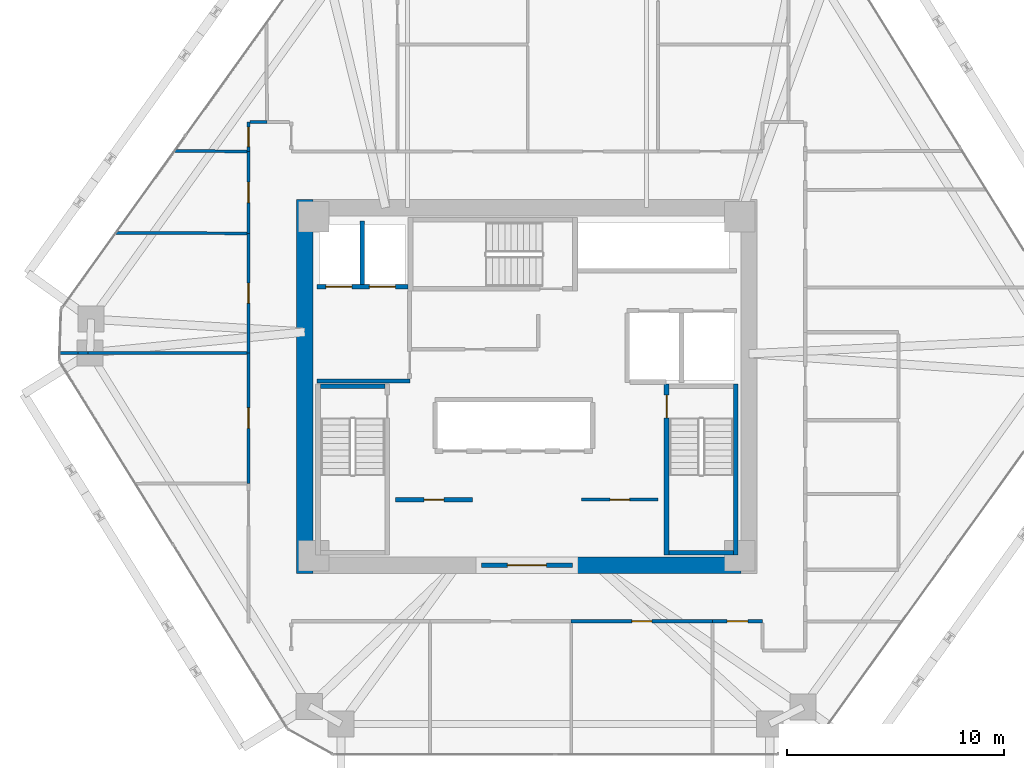
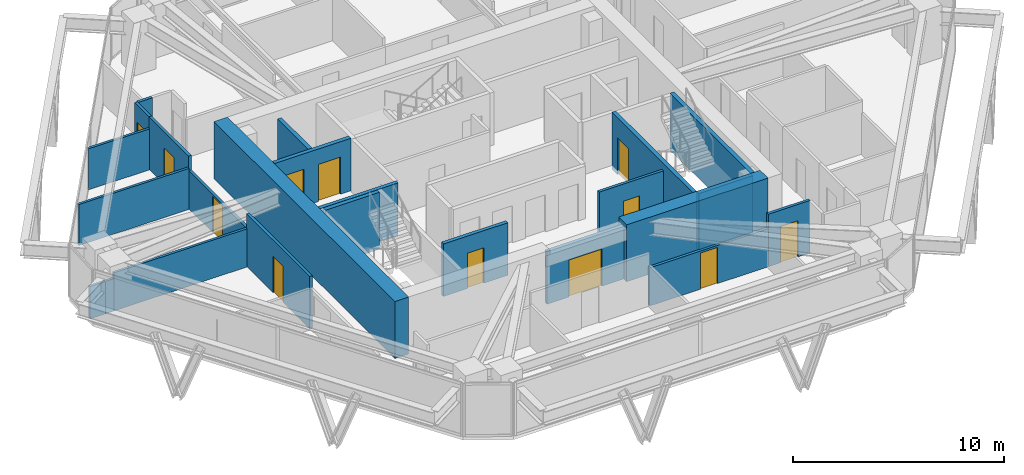
# One storey, part 10 of 14: 24 walls, 12 doors, 12 openings.
"""IFC4 building model written with IfcOpenShell, lengths in metres."""

from ifc_helpers import new_model, si_unit, direction, frame, frame_2d, origin, place, context, subcontext, project, spatial, rectangle, extrude, source, transform, mapped, material, layer, layer_set, type_object, type_shapes, element, fill, save


model = new_model("IFC4")

# Units and contexts
model_context = context("Model", 3, precision=1e-05, world=origin(), true_north=direction((0.0, 1.0)))
body_context = subcontext(model_context, "Body", "Model", "MODEL_VIEW")
ifc_project = project(units=[si_unit("LENGTHUNIT", "METRE"), si_unit("AREAUNIT", "SQUARE_METRE"), si_unit("VOLUMEUNIT", "CUBIC_METRE"), si_unit("PLANEANGLEUNIT", "RADIAN"), si_unit("MASSUNIT", "GRAM", prefix="KILO")], contexts=[model_context])

# Site, building, storey
site_placement = place(None, origin())
site = spatial("IfcSite", under=ifc_project, at=site_placement, CompositionType="ELEMENT")
building_placement = place(site_placement, origin())
building = spatial("IfcBuilding", under=site, at=building_placement, Name="Durnholm Broadcast Tower", CompositionType="ELEMENT")
storey_placement = place(building_placement, frame((0.0, 0.0, 114.0)))
storey = spatial("IfcBuildingStorey", under=building, at=storey_placement, Name="L30", CompositionType="ELEMENT", Elevation=114.0)

# Walls
ifc_material_1 = material(Name="Concrete C70/85", Category="concrete")
ifc_layer_1 = layer(ifc_material_1, 0.75)
ifc_layer_set_1 = layer_set([ifc_layer_1], Name="Concrete C70/85")
wall_type_1 = type_object("IfcWallType", Name="WALL-CW-750", PredefinedType="SHEAR", material=ifc_layer_set_1)
wall_1_placement = place(storey_placement, frame((-10.22509765625, -8.60009765625, 0.0), z_axis=(0.0, 0.0, 1.0), x_axis=(0.0, 1.0, 0.0)))
element("IfcWall", 1, at=wall_1_placement, inside=storey, type_object=wall_type_1, Name="L30 central core shear wall CW-WEST", PredefinedType="SHEAR", context=body_context, shape_type="SweptSolid", body=[
    extrude(rectangle(XDim=17.2001953125, YDim=0.75, at=frame_2d((8.60009765625, 0.0))), origin(), (0.0, 0.0, 1.0), 3.300048828125),
])
wall_2_placement = place(storey_placement, frame((2.10009765625, -8.22509765625, 0.0), z_axis=(0.0, 0.0, 1.0), x_axis=(1.0, 0.0, 0.0)))
element("IfcWall", 2, at=wall_2_placement, inside=storey, type_object=wall_type_1, Name="L30 central core shear wall CW-S2", PredefinedType="SHEAR", context=body_context, shape_type="SweptSolid", body=[
    extrude(rectangle(XDim=7.75, YDim=0.75, at=frame_2d((3.875, 0.0))), origin(), (0.0, 0.0, 1.0), 3.300048828125),
])

# Wall, opening, door
ifc_material_2 = material(Name="Fire-Rated Gypsum Shaftwall", Category="concrete")
ifc_layer_2 = layer(ifc_material_2, 0.199951171875)
ifc_layer_set_2 = layer_set([ifc_layer_2], Name="Fire-Rated Gypsum Shaftwall")
wall_type_2 = type_object("IfcWallType", Name="WALL-LOB-200", PredefinedType="SOLIDWALL", material=ifc_layer_set_2)
wall_3_placement = place(storey_placement, frame((-2.10009765625, -8.22509765625, 0.0), z_axis=(0.0, 0.0, 1.0), x_axis=(1.0, 0.0, 0.0)))
wall_3 = element("IfcWall", 3, at=wall_3_placement, inside=storey, type_object=wall_type_2, Name="L30 south core lobby fire screen", PredefinedType="SOLIDWALL", context=body_context, shape_type="SweptSolid", body=[
    extrude(rectangle(XDim=4.2001953125, YDim=0.199951171875, at=frame_2d((2.10009765625, 0.0))), origin(), (0.0, 0.0, 1.0), 3.044921875),
])
opening_1_placement = place(wall_3_placement, frame((1.199951171875, 0.0, 0.0)))
opening_1 = element("IfcOpeningElement", 4, at=opening_1_placement, cuts=wall_3, Name="Opening DP-60", PredefinedType="OPENING", context=body_context, shape_type="SweptSolid", body=[
    extrude(rectangle(XDim=1.800048828125, YDim=2.14990234375, at=frame_2d((0.89990234375, 1.074951171875))), frame((0.0, 0.10986328125, 0.0), z_axis=(0.0, -1.0, 0.0), x_axis=(1.0, 0.0, 0.0)), (0.0, 0.0, 1.0), 0.219970703125),
])
ifc_material_3 = material(Name="Fire-Rated Double Corridor Door", Category="steel")
ifc_layer_3 = layer(ifc_material_3, 0.050048828125)
ifc_layer_set_3 = layer_set([ifc_layer_3], Name="Fire-Rated Double Corridor Door")
door_type_1 = type_object("IfcDoorType", Name="DOOR-PAIR-FD60", OperationType="DOUBLE_DOOR_SINGLE_SWING", PredefinedType="DOOR", material=ifc_layer_set_3)
shared_shape_1 = source(origin(), body_context, "Body", "SweptSolid", [
    extrude(rectangle(XDim=1.800048828125, YDim=2.14990234375, at=frame_2d((0.89990234375, 1.074951171875))), frame((0.0, 0.02490234375, 0.0), z_axis=(0.0, -1.0, 0.0), x_axis=(1.0, 0.0, 0.0)), (0.0, 0.0, 1.0), 0.050048828125),
])
type_shapes(door_type_1, [shared_shape_1])
door_1_placement = place(opening_1_placement, origin())
door_1 = element("IfcDoor", 5, at=door_1_placement, inside=storey, type_object=door_type_1, Name="L30 south core lobby double fire door", OperationType="DOUBLE_DOOR_SINGLE_SWING", OverallHeight=2.14990234375, OverallWidth=1.800048828125, PredefinedType="DOOR", context=body_context, shape_type="MappedRepresentation", body=[
    mapped(shared_shape_1, transform((0.0, 0.0, 0.0), x_axis=(1.0, 0.0, 0.0), y_axis=(0.0, 1.0, 0.0), z_axis=(0.0, 0.0, 1.0), scale=1.0)),
])
fill(opening_1, door_1)

# Wall
wall_4_placement = place(storey_placement, frame((-9.64990234375, 0.25, 0.0), z_axis=(0.0, 0.0, 1.0), x_axis=(1.0, 0.0, 0.0)))
element("IfcWall", 6, at=wall_4_placement, inside=storey, type_object=wall_type_2, Name="L30 Fire Service Access Elevator lobby south wall", PredefinedType="SOLIDWALL", context=body_context, shape_type="SweptSolid", body=[
    extrude(rectangle(XDim=4.27001953125, YDim=0.199951171875, at=frame_2d((2.135009765625, 0.0))), origin(), (0.0, 0.0, 1.0), 3.044921875),
])

# Wall, opening, door
wall_5_placement = place(storey_placement, frame((-6.0400390625, -5.2099609375, 0.0), z_axis=(0.0, 0.0, 1.0), x_axis=(1.0, 0.0, 0.0)))
wall_5 = element("IfcWall", 7, at=wall_5_placement, inside=storey, type_object=wall_type_2, Name="L30 Broadcast Signal Rack Room corridor partition", PredefinedType="SOLIDWALL", context=body_context, shape_type="SweptSolid", body=[
    extrude(rectangle(XDim=3.530029296875, YDim=0.199951171875, at=frame_2d((1.76513671875, 0.0))), origin(), (0.0, 0.0, 1.0), 3.044921875),
])
opening_2_placement = place(wall_5_placement, frame((1.31494140625, 0.0, 0.0)))
opening_2 = element("IfcOpeningElement", 8, at=opening_2_placement, cuts=wall_5, Name="Opening DC-60L", PredefinedType="OPENING", context=body_context, shape_type="SweptSolid", body=[
    extrude(rectangle(XDim=0.89990234375, YDim=2.050048828125, at=frame_2d((0.449951171875, 1.02490234375))), frame((0.0, 0.10986328125, 0.0), z_axis=(0.0, -1.0, 0.0), x_axis=(1.0, 0.0, 0.0)), (0.0, 0.0, 1.0), 0.219970703125),
])
ifc_material_4 = material(Name="Fire-Rated Core Service Door", Category="steel")
ifc_layer_4 = layer(ifc_material_4, 0.050048828125)
ifc_layer_set_4 = layer_set([ifc_layer_4], Name="Fire-Rated Core Service Door")
door_type_2 = type_object("IfcDoorType", Name="DOOR-CORE-FD60-L", OperationType="NOTDEFINED", PredefinedType="DOOR", material=ifc_layer_set_4)
shared_shape_2 = source(origin(), body_context, "Body", "SweptSolid", [
    extrude(rectangle(XDim=0.89990234375, YDim=2.050048828125, at=frame_2d((0.449951171875, 1.02490234375))), frame((0.0, 0.02490234375, 0.0), z_axis=(0.0, -1.0, 0.0), x_axis=(1.0, 0.0, 0.0)), (0.0, 0.0, 1.0), 0.050048828125),
])
type_shapes(door_type_2, [shared_shape_2])
door_2_placement = place(opening_2_placement, origin())
door_2 = element("IfcDoor", 9, at=door_2_placement, inside=storey, type_object=door_type_2, Name="L30 Broadcast Signal Rack Room entrance door", OperationType="SINGLE_SWING_LEFT", OverallHeight=2.050048828125, OverallWidth=0.89990234375, PredefinedType="DOOR", context=body_context, shape_type="MappedRepresentation", body=[
    mapped(shared_shape_2, transform((0.0, 0.0, 0.0), x_axis=(1.0, 0.0, 0.0), y_axis=(0.0, 1.0, 0.0), z_axis=(0.0, 0.0, 1.0), scale=1.0)),
])
fill(opening_2, door_2)

# Walls
ifc_material_5 = material(Name="Gypsum Metal Stud Partition", Category="concrete")
ifc_layer_5 = layer(ifc_material_5, 0.135009765625)
ifc_layer_set_5 = layer_set([ifc_layer_5], Name="Gypsum Metal Stud Partition")
wall_type_3 = type_object("IfcWallType", Name="WALL-PART-135", PredefinedType="PARTITIONING", material=ifc_layer_set_5)
wall_6_placement = place(storey_placement, frame((-12.888916015625, 10.810546875, 0.0), z_axis=(0.0, 0.0, 1.0), x_axis=(-0.999976657862, 0.006832549348, 0.0)))
element("IfcWall", 10, at=wall_6_placement, inside=storey, type_object=wall_type_3, Name="L30 room dividing partition 7.22", PredefinedType="PARTITIONING", context=body_context, shape_type="SweptSolid", body=[
    extrude(rectangle(XDim=3.322998046875, YDim=0.135009765625, at=frame_2d((1.66162109375, 0.0))), origin(), (0.0, 0.0, 1.0), 2.3798828125),
])
wall_7_placement = place(storey_placement, frame((-21.50341796875, 1.54150390625, 0.0), z_axis=(0.0, 0.0, 1.0), x_axis=(0.999999958331, -0.000288683591, 0.0)))
element("IfcWall", 11, at=wall_7_placement, inside=storey, type_object=wall_type_3, Name="L30 room dividing partition 20.21", PredefinedType="PARTITIONING", context=body_context, shape_type="SweptSolid", body=[
    extrude(rectangle(XDim=0.845703125, YDim=0.135009765625, at=frame_2d((0.4228515625, 0.0))), origin(), (0.0, 0.0, 1.0), 1.877197265625),
])
wall_8_placement = place(storey_placement, frame((-20.201416015625, 1.541259765625, 0.0), z_axis=(0.0, 0.0, 1.0), x_axis=(0.999999986067, -0.000166933758, 0.0)))
element("IfcWall", 12, at=wall_8_placement, inside=storey, type_object=wall_type_3, Name="L30 room dividing partition 20.21", PredefinedType="PARTITIONING", context=body_context, shape_type="SweptSolid", body=[
    extrude(rectangle(XDim=7.3125, YDim=0.135009765625, at=frame_2d((3.65625, 0.0))), origin(), (0.0, 0.0, 1.0), 2.212158203125),
])
wall_9_placement = place(storey_placement, frame((-20.65771484375, 1.541259765625, 0.0), z_axis=(0.0, 0.0, 1.0), x_axis=(1.0, 0.0, 0.0)))
element("IfcWall", 13, at=wall_9_placement, inside=storey, type_object=wall_type_3, Name="L30 room dividing partition 20.21", PredefinedType="PARTITIONING", context=body_context, shape_type="SweptSolid", body=[
    extrude(rectangle(XDim=0.456298828125, YDim=0.135009765625, at=frame_2d((0.22802734375, 0.0))), origin(), (0.0, 0.0, 1.0), 1.877197265625),
])
wall_10_placement = place(storey_placement, frame((-18.92041015625, 7.063232421875, 0.0), z_axis=(0.0, 0.0, 1.0), x_axis=(0.999992761455, -0.003804870252, 0.0)))
element("IfcWall", 14, at=wall_10_placement, inside=storey, type_object=wall_type_3, Name="L30 room dividing partition 21.22", PredefinedType="PARTITIONING", context=body_context, shape_type="SweptSolid", body=[
    extrude(rectangle(XDim=6.031494140625, YDim=0.135009765625, at=frame_2d((3.015625, 0.0))), origin(), (0.0, 0.0, 1.0), 2.3798828125),
])

# Wall, opening, door
ifc_material_6 = material(Name="Acoustic Gypsum Stud Partition", Category="concrete")
ifc_layer_6 = layer(ifc_material_6, 0.14990234375)
ifc_layer_set_6 = layer_set([ifc_layer_6], Name="Acoustic Gypsum Stud Partition")
wall_type_4 = type_object("IfcWallType", Name="WALL-PART-150", PredefinedType="PARTITIONING", material=ifc_layer_set_6)
wall_11_placement = place(storey_placement, frame((2.510009765625, -5.2099609375, 0.0), z_axis=(0.0, 0.0, 1.0), x_axis=(1.0, 0.0, 0.0)))
wall_11 = element("IfcWall", 15, at=wall_11_placement, inside=storey, type_object=wall_type_4, Name="L30 Editorial Beverage Pantry corridor partition", PredefinedType="PARTITIONING", context=body_context, shape_type="SweptSolid", body=[
    extrude(rectangle(XDim=3.530029296875, YDim=0.14990234375, at=frame_2d((1.76513671875, 0.0))), origin(), (0.0, 0.0, 1.0), 3.044921875),
])
opening_3_placement = place(wall_11_placement, frame((1.31494140625, 0.0, 0.0)))
opening_3 = element("IfcOpeningElement", 16, at=opening_3_placement, cuts=wall_11, Name="Opening DC-60R", PredefinedType="OPENING", context=body_context, shape_type="SweptSolid", body=[
    extrude(rectangle(XDim=0.89990234375, YDim=2.050048828125, at=frame_2d((0.449951171875, 1.02490234375))), frame((0.0, 0.0849609375, 0.0), z_axis=(0.0, -1.0, 0.0), x_axis=(1.0, 0.0, 0.0)), (0.0, 0.0, 1.0), 0.169921875),
])
ifc_layer_7 = layer(ifc_material_4, 0.050048828125)
ifc_layer_set_7 = layer_set([ifc_layer_7], Name="Fire-Rated Core Service Door")
door_type_3 = type_object("IfcDoorType", Name="DOOR-CORE-FD60-R", OperationType="NOTDEFINED", PredefinedType="DOOR", material=ifc_layer_set_7)
shared_shape_3 = source(origin(), body_context, "Body", "SweptSolid", [
    extrude(rectangle(XDim=0.89990234375, YDim=2.050048828125, at=frame_2d((0.449951171875, 1.02490234375))), frame((0.0, 0.02490234375, 0.0), z_axis=(0.0, -1.0, 0.0), x_axis=(1.0, 0.0, 0.0)), (0.0, 0.0, 1.0), 0.050048828125),
])
type_shapes(door_type_3, [shared_shape_3])
door_3_placement = place(opening_3_placement, origin())
door_3 = element("IfcDoor", 17, at=door_3_placement, inside=storey, type_object=door_type_3, Name="L30 Editorial Beverage Pantry entrance door", OperationType="SINGLE_SWING_RIGHT", OverallHeight=2.050048828125, OverallWidth=0.89990234375, PredefinedType="DOOR", context=body_context, shape_type="MappedRepresentation", body=[
    mapped(shared_shape_3, transform((0.0, 0.0, 0.0), x_axis=(1.0, 0.0, 0.0), y_axis=(0.0, 1.0, 0.0), z_axis=(0.0, 0.0, 1.0), scale=1.0)),
])
fill(opening_3, door_3)

wall_12_placement = place(storey_placement, frame((-12.81005859375, 12.159912109375, 0.0), z_axis=(0.0, 0.0, 1.0), x_axis=(0.0, -1.0, 0.0)))
wall_12 = element("IfcWall", 18, at=wall_12_placement, inside=storey, type_object=wall_type_4, Name="L30 Syndication Meeting Room 1 corridor partition", PredefinedType="PARTITIONING", context=body_context, shape_type="SweptSolid", body=[
    extrude(rectangle(XDim=1.349853515625, YDim=0.14990234375, at=frame_2d((0.6748046875, 0.0))), origin(), (0.0, 0.0, 1.0), 3.044921875),
])
opening_4_placement = place(wall_12_placement, frame((0.22509765625, 0.0, 0.0)))
opening_4 = element("IfcOpeningElement", 19, at=opening_4_placement, cuts=wall_12, Name="Opening DW-90L", PredefinedType="OPENING", context=body_context, shape_type="SweptSolid", body=[
    extrude(rectangle(XDim=0.89990234375, YDim=2.050048828125, at=frame_2d((0.449951171875, 1.02490234375))), frame((0.0, 0.0849609375, 0.0), z_axis=(0.0, -1.0, 0.0), x_axis=(1.0, 0.0, 0.0)), (0.0, 0.0, 1.0), 0.169921875),
])
ifc_material_7 = material(Name="Laminate Restroom Door", Category="steel")
ifc_layer_8 = layer(ifc_material_7, 0.050048828125)
ifc_layer_set_8 = layer_set([ifc_layer_8], Name="Laminate Restroom Door")
door_type_4 = type_object("IfcDoorType", Name="DOOR-WC-900L", OperationType="NOTDEFINED", PredefinedType="DOOR", material=ifc_layer_set_8)
shared_shape_4 = source(origin(), body_context, "Body", "SweptSolid", [
    extrude(rectangle(XDim=0.89990234375, YDim=2.050048828125, at=frame_2d((0.449951171875, 1.02490234375))), frame((0.0, 0.02490234375, 0.0), z_axis=(0.0, -1.0, 0.0), x_axis=(1.0, 0.0, 0.0)), (0.0, 0.0, 1.0), 0.050048828125),
])
type_shapes(door_type_4, [shared_shape_4])
door_4_placement = place(opening_4_placement, origin())
door_4 = element("IfcDoor", 20, at=door_4_placement, inside=storey, type_object=door_type_4, Name="L30 Syndication Meeting Room 1 entrance door", OperationType="SINGLE_SWING_LEFT", OverallHeight=2.050048828125, OverallWidth=0.89990234375, PredefinedType="DOOR", context=body_context, shape_type="MappedRepresentation", body=[
    mapped(shared_shape_4, transform((0.0, 0.0, 0.0), x_axis=(1.0, 0.0, 0.0), y_axis=(0.0, 1.0, 0.0), z_axis=(0.0, 0.0, 1.0), scale=1.0)),
])
fill(opening_4, door_4)

# Wall
wall_13_placement = place(storey_placement, frame((-11.9599609375, 12.159912109375, 0.0), z_axis=(0.0, 0.0, 1.0), x_axis=(-1.0, 0.0, 0.0)))
element("IfcWall", 21, at=wall_13_placement, inside=storey, type_object=wall_type_4, Name="L30 Syndication Meeting Room 1 corridor partition", PredefinedType="PARTITIONING", context=body_context, shape_type="SweptSolid", body=[
    extrude(rectangle(XDim=0.77099609375, YDim=0.14990234375, at=frame_2d((0.385498046875, 0.0))), origin(), (0.0, 0.0, 1.0), 3.044921875),
])

# Wall, opening, door
wall_14_placement = place(storey_placement, frame((2.0400390625, -10.81005859375, 0.0), z_axis=(0.0, 0.0, 1.0), x_axis=(1.0, 0.0, 0.0)))
wall_14 = element("IfcWall", 22, at=wall_14_placement, inside=storey, type_object=wall_type_4, Name="L30 Syndication Meeting Room 2 corridor partition", PredefinedType="PARTITIONING", context=body_context, shape_type="SweptSolid", body=[
    extrude(rectangle(XDim=6.5, YDim=0.14990234375, at=frame_2d((3.25, 0.0))), origin(), (0.0, 0.0, 1.0), 2.212158203125),
])
opening_5_placement = place(wall_14_placement, frame((2.7900390625, 0.0, 0.0)))
opening_5 = element("IfcOpeningElement", 23, at=opening_5_placement, cuts=wall_14, Name="Opening DR-92L", PredefinedType="OPENING", context=body_context, shape_type="SweptSolid", body=[
    extrude(rectangle(XDim=0.919921875, YDim=2.10009765625, at=frame_2d((0.4599609375, 1.050048828125))), frame((0.0, 0.0849609375, 0.0), z_axis=(0.0, -1.0, 0.0), x_axis=(1.0, 0.0, 0.0)), (0.0, 0.0, 1.0), 0.169921875),
])
ifc_material_8 = material(Name="Oak Veneer Office Door", Category="wood")
ifc_layer_9 = layer(ifc_material_8, 0.050048828125)
ifc_layer_set_9 = layer_set([ifc_layer_9], Name="Oak Veneer Office Door")
door_type_5 = type_object("IfcDoorType", Name="DOOR-RM-920L", OperationType="NOTDEFINED", PredefinedType="DOOR", material=ifc_layer_set_9)
shared_shape_5 = source(origin(), body_context, "Body", "SweptSolid", [
    extrude(rectangle(XDim=0.919921875, YDim=2.10009765625, at=frame_2d((0.4599609375, 1.050048828125))), frame((0.0, 0.02490234375, 0.0), z_axis=(0.0, -1.0, 0.0), x_axis=(1.0, 0.0, 0.0)), (0.0, 0.0, 1.0), 0.050048828125),
])
type_shapes(door_type_5, [shared_shape_5])
door_5_placement = place(opening_5_placement, origin())
door_5 = element("IfcDoor", 24, at=door_5_placement, inside=storey, type_object=door_type_5, Name="L30 Syndication Meeting Room 2 entrance door", OperationType="SINGLE_SWING_LEFT", OverallHeight=2.10009765625, OverallWidth=0.919921875, PredefinedType="DOOR", context=body_context, shape_type="MappedRepresentation", body=[
    mapped(shared_shape_5, transform((0.0, 0.0, 0.0), x_axis=(1.0, 0.0, 0.0), y_axis=(0.0, 1.0, 0.0), z_axis=(0.0, 0.0, 1.0), scale=1.0)),
])
fill(opening_5, door_5)

wall_15_placement = place(storey_placement, frame((8.5400390625, -10.81005859375, 0.0), z_axis=(0.0, 0.0, 1.0), x_axis=(1.0, 0.0, 0.0)))
wall_15 = element("IfcWall", 25, at=wall_15_placement, inside=storey, type_object=wall_type_4, Name="L30 Open Plan Broadcast Workspace 1 corridor partition", PredefinedType="PARTITIONING", context=body_context, shape_type="SweptSolid", body=[
    extrude(rectangle(XDim=2.300048828125, YDim=0.14990234375, at=frame_2d((1.14990234375, 0.0))), origin(), (0.0, 0.0, 1.0), 3.044921875),
])
opening_6_placement = place(wall_15_placement, frame((0.675048828125, 0.0, 0.0)))
opening_6 = element("IfcOpeningElement", 26, at=opening_6_placement, cuts=wall_15, Name="Opening DR-95R", PredefinedType="OPENING", context=body_context, shape_type="SweptSolid", body=[
    extrude(rectangle(XDim=0.949951171875, YDim=2.10009765625, at=frame_2d((0.47509765625, 1.050048828125))), frame((0.0, 0.0849609375, 0.0), z_axis=(0.0, -1.0, 0.0), x_axis=(1.0, 0.0, 0.0)), (0.0, 0.0, 1.0), 0.169921875),
])
ifc_material_9 = material(Name="Acoustic Oak Veneer Timber Door", Category="wood")
ifc_layer_10 = layer(ifc_material_9, 0.050048828125)
ifc_layer_set_10 = layer_set([ifc_layer_10], Name="Acoustic Oak Veneer Timber Door")
door_type_6 = type_object("IfcDoorType", Name="DOOR-RM-950R", OperationType="NOTDEFINED", PredefinedType="DOOR", material=ifc_layer_set_10)
shared_shape_6 = source(origin(), body_context, "Body", "SweptSolid", [
    extrude(rectangle(XDim=0.949951171875, YDim=2.10009765625, at=frame_2d((0.47509765625, 1.050048828125))), frame((0.0, 0.02490234375, 0.0), z_axis=(0.0, -1.0, 0.0), x_axis=(1.0, 0.0, 0.0)), (0.0, 0.0, 1.0), 0.050048828125),
])
type_shapes(door_type_6, [shared_shape_6])
door_6_placement = place(opening_6_placement, origin())
door_6 = element("IfcDoor", 27, at=door_6_placement, inside=storey, type_object=door_type_6, Name="L30 Open Plan Broadcast Workspace 1 entrance door", OperationType="SINGLE_SWING_RIGHT", OverallHeight=2.10009765625, OverallWidth=0.949951171875, PredefinedType="DOOR", context=body_context, shape_type="MappedRepresentation", body=[
    mapped(shared_shape_6, transform((0.0, 0.0, 0.0), x_axis=(1.0, 0.0, 0.0), y_axis=(0.0, 1.0, 0.0), z_axis=(0.0, 0.0, 1.0), scale=1.0)),
])
fill(opening_6, door_6)

wall_16_placement = place(storey_placement, frame((-12.81005859375, 1.5400390625, 0.0), z_axis=(0.0, 0.0, 1.0), x_axis=(0.0, -1.0, 0.0)))
wall_16 = element("IfcWall", 28, at=wall_16_placement, inside=storey, type_object=wall_type_4, Name="L30 Research Meeting Room corridor partition", PredefinedType="PARTITIONING", context=body_context, shape_type="SweptSolid", body=[
    extrude(rectangle(XDim=6.0, YDim=0.14990234375, at=frame_2d((3.0, 0.0))), origin(), (0.0, 0.0, 1.0), 3.044921875),
])
opening_7_placement = place(wall_16_placement, frame((2.52490234375, 0.0, 0.0)))
opening_7 = element("IfcOpeningElement", 29, at=opening_7_placement, cuts=wall_16, Name="Opening DR-95R", PredefinedType="OPENING", context=body_context, shape_type="SweptSolid", body=[
    extrude(rectangle(XDim=0.949951171875, YDim=2.10009765625, at=frame_2d((0.47509765625, 1.050048828125))), frame((0.0, 0.0849609375, 0.0), z_axis=(0.0, -1.0, 0.0), x_axis=(1.0, 0.0, 0.0)), (0.0, 0.0, 1.0), 0.169921875),
])
door_7_placement = place(opening_7_placement, origin())
door_7 = element("IfcDoor", 30, at=door_7_placement, inside=storey, type_object=door_type_6, Name="L30 Research Meeting Room entrance door", OperationType="SINGLE_SWING_RIGHT", OverallHeight=2.10009765625, OverallWidth=0.949951171875, PredefinedType="DOOR", context=body_context, shape_type="MappedRepresentation", body=[
    mapped(shared_shape_6, transform((0.0, 0.0, 0.0), x_axis=(1.0, 0.0, 0.0), y_axis=(0.0, 1.0, 0.0), z_axis=(0.0, 0.0, 1.0), scale=1.0)),
])
fill(opening_7, door_7)

wall_17_placement = place(storey_placement, frame((-12.81005859375, 7.0400390625, 0.0), z_axis=(0.0, 0.0, 1.0), x_axis=(0.0, -1.0, 0.0)))
wall_17 = element("IfcWall", 31, at=wall_17_placement, inside=storey, type_object=wall_type_4, Name="L30 Hospitality Kitchen corridor partition", PredefinedType="PARTITIONING", context=body_context, shape_type="SweptSolid", body=[
    extrude(rectangle(XDim=5.5, YDim=0.14990234375, at=frame_2d((2.75, 0.0))), origin(), (0.0, 0.0, 1.0), 2.212158203125),
])
opening_8_placement = place(wall_17_placement, frame((2.2900390625, 0.0, 0.0)))
opening_8 = element("IfcOpeningElement", 32, at=opening_8_placement, cuts=wall_17, Name="Opening DR-92L", PredefinedType="OPENING", context=body_context, shape_type="SweptSolid", body=[
    extrude(rectangle(XDim=0.919921875, YDim=2.10009765625, at=frame_2d((0.4599609375, 1.050048828125))), frame((0.0, 0.0849609375, 0.0), z_axis=(0.0, -1.0, 0.0), x_axis=(1.0, 0.0, 0.0)), (0.0, 0.0, 1.0), 0.169921875),
])
door_8_placement = place(opening_8_placement, origin())
door_8 = element("IfcDoor", 33, at=door_8_placement, inside=storey, type_object=door_type_5, Name="L30 Hospitality Kitchen entrance door", OperationType="SINGLE_SWING_LEFT", OverallHeight=2.10009765625, OverallWidth=0.919921875, PredefinedType="DOOR", context=body_context, shape_type="MappedRepresentation", body=[
    mapped(shared_shape_5, transform((0.0, 0.0, 0.0), x_axis=(1.0, 0.0, 0.0), y_axis=(0.0, 1.0, 0.0), z_axis=(0.0, 0.0, 1.0), scale=1.0)),
])
fill(opening_8, door_8)

wall_18_placement = place(storey_placement, frame((-12.81005859375, 10.81005859375, 0.0), z_axis=(0.0, 0.0, 1.0), x_axis=(0.0, -1.0, 0.0)))
wall_18 = element("IfcWall", 34, at=wall_18_placement, inside=storey, type_object=wall_type_4, Name="L30 Account Lounge corridor partition", PredefinedType="PARTITIONING", context=body_context, shape_type="SweptSolid", body=[
    extrude(rectangle(XDim=3.77001953125, YDim=0.14990234375, at=frame_2d((1.885009765625, 0.0))), origin(), (0.0, 0.0, 1.0), 3.044921875),
])
opening_9_placement = place(wall_18_placement, frame((1.409912109375, 0.0, 0.0)))
opening_9 = element("IfcOpeningElement", 35, at=opening_9_placement, cuts=wall_18, Name="Opening DR-95R", PredefinedType="OPENING", context=body_context, shape_type="SweptSolid", body=[
    extrude(rectangle(XDim=0.949951171875, YDim=2.10009765625, at=frame_2d((0.47509765625, 1.050048828125))), frame((0.0, 0.0849609375, 0.0), z_axis=(0.0, -1.0, 0.0), x_axis=(1.0, 0.0, 0.0)), (0.0, 0.0, 1.0), 0.169921875),
])
door_9_placement = place(opening_9_placement, origin())
door_9 = element("IfcDoor", 36, at=door_9_placement, inside=storey, type_object=door_type_6, Name="L30 Account Lounge entrance door", OperationType="SINGLE_SWING_RIGHT", OverallHeight=2.10009765625, OverallWidth=0.949951171875, PredefinedType="DOOR", context=body_context, shape_type="MappedRepresentation", body=[
    mapped(shared_shape_6, transform((0.0, 0.0, 0.0), x_axis=(1.0, 0.0, 0.0), y_axis=(0.0, 1.0, 0.0), z_axis=(0.0, 0.0, 1.0), scale=1.0)),
])
fill(opening_9, door_9)

# Wall, openings, doors
ifc_material_10 = material(Name="Concrete Blockwork C30/37", Category="masonry")
ifc_layer_11 = layer(ifc_material_10, 0.219970703125)
ifc_layer_set_11 = layer_set([ifc_layer_11], Name="Concrete Blockwork C30/37")
wall_type_5 = type_object("IfcWallType", Name="WALL-SHAFT-220", PredefinedType="SOLIDWALL", material=ifc_layer_set_11)
wall_19_placement = place(storey_placement, frame((-9.64990234375, 4.580078125, 0.0), z_axis=(0.0, 0.0, 1.0), x_axis=(1.0, 0.0, 0.0)))
wall_19 = element("IfcWall", 37, at=wall_19_placement, inside=storey, type_object=wall_type_5, Name="L30 FSAE hoistway front fire wall", PredefinedType="SOLIDWALL", context=body_context, shape_type="SweptSolid", body=[
    extrude(rectangle(XDim=4.1748046875, YDim=0.219970703125, at=frame_2d((2.08740234375, 0.0))), origin(), (0.0, 0.0, 1.0), 3.044921875),
])
opening_10_placement = place(wall_19_placement, frame((0.39990234375, 0.0, 0.0)))
opening_10 = element("IfcOpeningElement", 38, at=opening_10_placement, cuts=wall_19, Name="Opening LD-FSAE-2", PredefinedType="OPENING", context=body_context, shape_type="SweptSolid", body=[
    extrude(rectangle(XDim=1.199951171875, YDim=2.14990234375, at=frame_2d((0.60009765625, 1.074951171875))), frame((0.0, 0.1201171875, 0.0), z_axis=(0.0, -1.0, 0.0), x_axis=(1.0, 0.0, 0.0)), (0.0, 0.0, 1.0), 0.239990234375),
])
opening_11_placement = place(wall_19_placement, frame((2.39990234375, 0.0, 0.0)))
opening_11 = element("IfcOpeningElement", 39, at=opening_11_placement, cuts=wall_19, Name="Opening LD-FSAE-1", PredefinedType="OPENING", context=body_context, shape_type="SweptSolid", body=[
    extrude(rectangle(XDim=1.199951171875, YDim=2.14990234375, at=frame_2d((0.60009765625, 1.074951171875))), frame((0.0, 0.1201171875, 0.0), z_axis=(0.0, -1.0, 0.0), x_axis=(1.0, 0.0, 0.0)), (0.0, 0.0, 1.0), 0.239990234375),
])
ifc_material_11 = material(Name="Fire Service Access Sliding Landing Door", Category="steel")
ifc_layer_12 = layer(ifc_material_11, 0.050048828125)
ifc_layer_set_12 = layer_set([ifc_layer_12], Name="Fire Service Access Sliding Landing Door")
door_type_7 = type_object("IfcDoorType", Name="DOOR-LIFT-FSAE", OperationType="DOUBLE_DOOR_SLIDING", PredefinedType="DOOR", material=ifc_layer_set_12)
shared_shape_7 = source(origin(), body_context, "Body", "SweptSolid", [
    extrude(rectangle(XDim=1.199951171875, YDim=2.14990234375, at=frame_2d((0.60009765625, 1.074951171875))), frame((0.0, 0.02490234375, 0.0), z_axis=(0.0, -1.0, 0.0), x_axis=(1.0, 0.0, 0.0)), (0.0, 0.0, 1.0), 0.050048828125),
])
type_shapes(door_type_7, [shared_shape_7])
door_10_placement = place(opening_10_placement, origin())
door_10 = element("IfcDoor", 40, at=door_10_placement, inside=storey, type_object=door_type_7, Name="L30 Fire Service Access Elevator FSAE-2 sliding landing door", OperationType="DOUBLE_DOOR_SLIDING", OverallHeight=2.14990234375, OverallWidth=1.199951171875, PredefinedType="DOOR", context=body_context, shape_type="MappedRepresentation", body=[
    mapped(shared_shape_7, transform((0.0, 0.0, 0.0), x_axis=(1.0, 0.0, 0.0), y_axis=(0.0, 1.0, 0.0), z_axis=(0.0, 0.0, 1.0), scale=1.0)),
])
fill(opening_10, door_10)
door_11_placement = place(opening_11_placement, origin())
door_11 = element("IfcDoor", 41, at=door_11_placement, inside=storey, type_object=door_type_7, Name="L30 Fire Service Access Elevator FSAE-1 sliding landing door", OperationType="DOUBLE_DOOR_SLIDING", OverallHeight=2.14990234375, OverallWidth=1.199951171875, PredefinedType="DOOR", context=body_context, shape_type="MappedRepresentation", body=[
    mapped(shared_shape_7, transform((0.0, 0.0, 0.0), x_axis=(1.0, 0.0, 0.0), y_axis=(0.0, 1.0, 0.0), z_axis=(0.0, 0.0, 1.0), scale=1.0)),
])
fill(opening_11, door_11)

# Walls
wall_20_placement = place(storey_placement, frame((-7.580078125, 4.694091796875, 0.0), z_axis=(0.0, 0.0, 1.0), x_axis=(0.0, 1.0, 0.0)))
element("IfcWall", 42, at=wall_20_placement, inside=storey, type_object=wall_type_5, Name="L30 FSAE shaft divider wall", PredefinedType="SOLIDWALL", context=body_context, shape_type="SweptSolid", body=[
    extrude(rectangle(XDim=2.906005859375, YDim=0.219970703125, at=frame_2d((1.453125, 0.0))), origin(), (0.0, 0.0, 1.0), 3.044921875),
])
ifc_material_12 = material(Name="Concrete C50/60", Category="concrete")
ifc_layer_13 = layer(ifc_material_12, 0.219970703125)
ifc_layer_set_13 = layer_set([ifc_layer_13], Name="Concrete C50/60")
wall_type_6 = type_object("IfcWallType", Name="WALL-SW-220", PredefinedType="SHEAR", material=ifc_layer_set_13)
wall_21_placement = place(storey_placement, frame((-6.5400390625, 0.010009765625, -0.239990234375), z_axis=(0.0, 0.0, 1.0), x_axis=(-1.0, 0.0, 0.0)))
element("IfcWall", 43, at=wall_21_placement, inside=storey, type_object=wall_type_6, Name="L30 stair ST-1 structural shaft wall N", PredefinedType="SHEAR", context=body_context, shape_type="SweptSolid", body=[
    extrude(rectangle(XDim=2.9599609375, YDim=0.219970703125, at=frame_2d((1.47998046875, 0.0))), origin(), (0.0, 0.0, 1.0), 3.300048828125),
])
wall_22_placement = place(storey_placement, frame((9.610107421875, -7.77001953125, -0.239990234375), z_axis=(0.0, 0.0, 1.0), x_axis=(0.0, 1.0, 0.0)))
element("IfcWall", 44, at=wall_22_placement, inside=storey, type_object=wall_type_6, Name="L30 stair ST-2 structural shaft wall E", PredefinedType="SHEAR", context=body_context, shape_type="SweptSolid", body=[
    extrude(rectangle(XDim=7.89013671875, YDim=0.219970703125, at=frame_2d((3.945068359375, 0.0))), origin(), (0.0, 0.0, 1.0), 3.300048828125),
])

# Wall, opening, door
wall_23_placement = place(storey_placement, frame((6.429931640625, 0.1201171875, -0.239990234375), z_axis=(0.0, 0.0, 1.0), x_axis=(0.0, -1.0, 0.0)))
wall_23 = element("IfcWall", 45, at=wall_23_placement, inside=storey, type_object=wall_type_6, Name="L30 stair ST-2 structural shaft wall W", PredefinedType="SHEAR", context=body_context, shape_type="SweptSolid", body=[
    extrude(rectangle(XDim=7.89013671875, YDim=0.219970703125, at=frame_2d((3.945068359375, 0.0))), origin(), (0.0, 0.0, 1.0), 3.300048828125),
])
opening_12_placement = place(wall_23_placement, frame((0.52001953125, 0.0, 0.0)))
opening_12 = element("IfcOpeningElement", 46, at=opening_12_placement, cuts=wall_23, Name="Opening DS-90R", PredefinedType="OPENING", context=body_context, shape_type="SweptSolid", body=[
    extrude(rectangle(XDim=1.050048828125, YDim=2.14990234375, at=frame_2d((0.52490234375, 1.074951171875))), frame((0.0, 0.1201171875, 0.0), z_axis=(0.0, -1.0, 0.0), x_axis=(1.0, 0.0, 0.0)), (0.0, 0.0, 1.0), 0.239990234375),
])
ifc_material_13 = material(Name="Fire-Rated Steel Door", Category="steel")
ifc_layer_14 = layer(ifc_material_13, 0.050048828125)
ifc_layer_set_14 = layer_set([ifc_layer_14], Name="Fire-Rated Steel Door")
door_type_8 = type_object("IfcDoorType", Name="DOOR-ST-FD90-R", OperationType="NOTDEFINED", PredefinedType="DOOR", material=ifc_layer_set_14)
shared_shape_8 = source(origin(), body_context, "Body", "SweptSolid", [
    extrude(rectangle(XDim=1.050048828125, YDim=2.14990234375, at=frame_2d((0.52490234375, 1.074951171875))), frame((0.0, 0.02490234375, 0.0), z_axis=(0.0, -1.0, 0.0), x_axis=(1.0, 0.0, 0.0)), (0.0, 0.0, 1.0), 0.050048828125),
])
type_shapes(door_type_8, [shared_shape_8])
door_12_placement = place(opening_12_placement, origin())
door_12 = element("IfcDoor", 47, at=door_12_placement, inside=storey, type_object=door_type_8, Name="L30 exit stair ST-2 fire door", OperationType="SINGLE_SWING_RIGHT", OverallHeight=2.14990234375, OverallWidth=1.050048828125, PredefinedType="DOOR", context=body_context, shape_type="MappedRepresentation", body=[
    mapped(shared_shape_8, transform((0.0, 0.0, 0.0), x_axis=(1.0, 0.0, 0.0), y_axis=(0.0, 1.0, 0.0), z_axis=(0.0, 0.0, 1.0), scale=1.0)),
])
fill(opening_12, door_12)

# Wall
wall_24_placement = place(storey_placement, frame((6.5400390625, -7.659912109375, -0.239990234375), z_axis=(0.0, 0.0, 1.0), x_axis=(1.0, 0.0, 0.0)))
element("IfcWall", 48, at=wall_24_placement, inside=storey, type_object=wall_type_6, Name="L30 stair ST-2 structural shaft wall S", PredefinedType="SHEAR", context=body_context, shape_type="SweptSolid", body=[
    extrude(rectangle(XDim=2.9599609375, YDim=0.219970703125, at=frame_2d((1.47998046875, 0.0))), origin(), (0.0, 0.0, 1.0), 3.300048828125),
])

save(model, "model.ifc")
